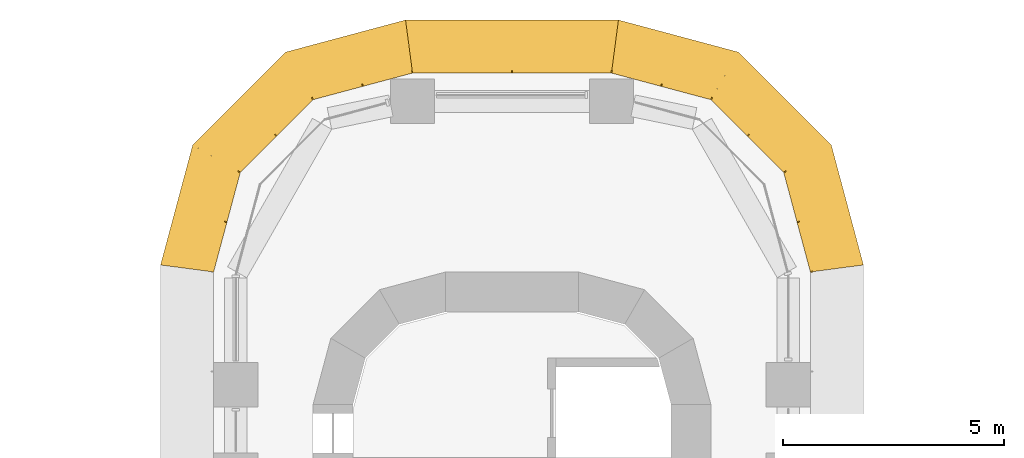
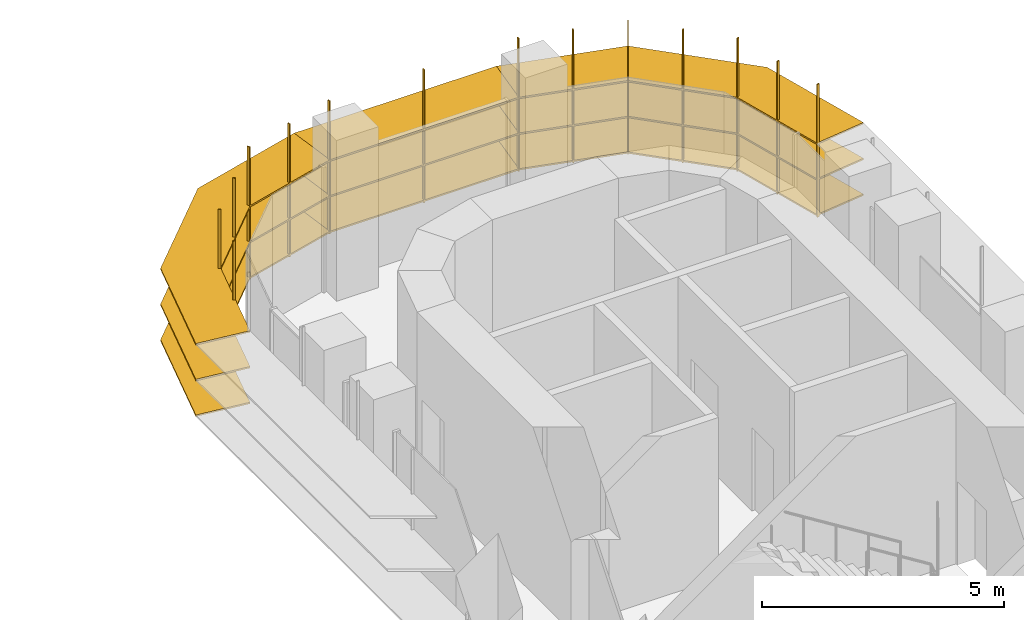
# One storey, part 23 of 23: 3 shading devices.
"""IFC4 building model written with IfcOpenShell, lengths in metres."""

import ifcopenshell
import ifcopenshell.guid

model = None  # the IFC model being written
_history = None  # IfcOwnerHistory: only IFC2X3 demands one
_inside = {}  # id of a spatial element -> (the spatial element, [elements in it])
_under = {}  # id of a project, library or spatial element -> (it, [spatial elements below it])
_declared = {}  # id of a project -> (the project, [libraries it declares])
_typed = {}  # id of a type object -> (the type object, [elements of that type])
_made_of = {}  # id of a material, layer set ... -> (it, [elements and type objects made of it])


def new_model(schema):
    """Start an empty IFC model of exactly this schema.

    Asked for "IFC4X3", IfcOpenShell would pick the latest addendum, in which some entities
    have other attributes; the version numbers below select the first issue.
    IFC2X3 requires an IfcOwnerHistory on every rooted entity: one is made here for all.
    """
    global model, _history
    if schema == "IFC4X3":
        model = ifcopenshell.file(schema_version=(4, 3, 0, 0))
    else:
        model = ifcopenshell.file(schema=schema)
    _inside.clear()
    _under.clear()
    _declared.clear()
    _typed.clear()
    _made_of.clear()
    _history = None
    if model.schema == "IFC2X3":
        org = make("IfcOrganization", Name="unknown")
        user = make(
            "IfcPersonAndOrganization",
            ThePerson=make("IfcPerson", FamilyName="unknown"),
            TheOrganization=org,
        )
        app = make(
            "IfcApplication",
            ApplicationDeveloper=org,
            Version="unknown",
            ApplicationFullName="unknown",
            ApplicationIdentifier="unknown",
        )
        _history = make(
            "IfcOwnerHistory",
            OwningUser=user,
            OwningApplication=app,
            ChangeAction="ADDED",
            CreationDate=0,
        )
    return model


def make(cls, **values):
    """One entity of the class cls with the attributes given. An attribute that is None is left unset."""
    return model.create_entity(
        cls, **{name: value for name, value in values.items() if value is not None}
    )


def rooted(cls, **values):
    """An entity with a GlobalId (a new one), such as an element, a storey or a relation."""
    return make(cls, GlobalId=ifcopenshell.guid.new(), OwnerHistory=_history, **values)


def si_unit(unit_type, name, prefix=None):
    """IfcSIUnit, for example si_unit("LENGTHUNIT", "METRE", prefix="MILLI")."""
    return make("IfcSIUnit", UnitType=unit_type, Prefix=prefix, Name=name)


def assignment(units):
    """IfcUnitAssignment: the units of a project."""
    return None if units is None else make("IfcUnitAssignment", Units=units)


def point(xyz):
    """IfcCartesianPoint."""
    return None if xyz is None else make("IfcCartesianPoint", Coordinates=xyz)


def direction(xyz):
    """IfcDirection."""
    return None if xyz is None else make("IfcDirection", DirectionRatios=xyz)


def frame(location, z_axis=None, x_axis=None):
    """IfcAxis2Placement3D, a coordinate frame: its origin and axes. An axis left out is left unset."""
    return make(
        "IfcAxis2Placement3D",
        Location=point(location),
        Axis=direction(z_axis),
        RefDirection=direction(x_axis),
    )


def origin():
    """The frame at (0, 0, 0) with its axes left unset."""
    return frame((0.0, 0.0, 0.0))


def place(relative_to, where):
    """IfcLocalPlacement: puts the frame where relative to a parent placement (None: the world)."""
    return make(
        "IfcLocalPlacement", PlacementRelTo=relative_to, RelativePlacement=where
    )


def context(
    kind, dimensions, precision=None, world=None, true_north=None, identifier=None
):
    """IfcGeometricRepresentationContext, for example the 3D "Model" context."""
    return make(
        "IfcGeometricRepresentationContext",
        ContextIdentifier=identifier,
        ContextType=kind,
        CoordinateSpaceDimension=dimensions,
        Precision=precision,
        WorldCoordinateSystem=world,
        TrueNorth=true_north,
    )


def subcontext(parent, identifier, kind, view, scale=None):
    """IfcGeometricRepresentationSubContext, for example "Body" below "Model"."""
    return make(
        "IfcGeometricRepresentationSubContext",
        ContextIdentifier=identifier,
        ContextType=kind,
        ParentContext=parent,
        TargetScale=scale,
        TargetView=view,
    )


def project(units=None, contexts=None):
    """IfcProject with its units and contexts."""
    return rooted(
        "IfcProject",
        Name="project",
        RepresentationContexts=contexts,
        UnitsInContext=assignment(units),
    )


def spatial(cls, under=None, at=None, **own):
    """A site, building, storey or space (cls), placed at a placement, below another one or the project."""
    s = rooted(cls, ObjectPlacement=at, **own)
    if under is not None:
        _under.setdefault(under.id(), (under, []))[1].append(s)
    return s


def polyline(points):
    """IfcPolyline through the points."""
    return make("IfcPolyline", Points=[point(p) for p in points])


def outline(outer, holes=None, kind="AREA"):
    """IfcArbitraryClosedProfileDef: a profile drawn as a closed curve; with holes, ...WithVoids."""
    if holes is None:
        return make("IfcArbitraryClosedProfileDef", ProfileType=kind, OuterCurve=outer)
    return make(
        "IfcArbitraryProfileDefWithVoids",
        ProfileType=kind,
        OuterCurve=outer,
        InnerCurves=holes,
    )


def extrude(swept, where, along, depth):
    """IfcExtrudedAreaSolid: the profile swept, set in the frame where, extruded along a direction by depth."""
    return make(
        "IfcExtrudedAreaSolid",
        SweptArea=swept,
        Position=where,
        ExtrudedDirection=direction(along),
        Depth=depth,
    )


def faces_of(points, faces, orient=None, outer=None):
    """IfcFace entities. A face is a list of loops; a loop is a list of indices into points, from 0.

    orient and outer hold one flag for each loop. By default every Orientation is true, the
    first loop of a face is its IfcFaceOuterBound and the others are IfcFaceBound.
    """
    made = []
    for i, loops in enumerate(faces):
        bounds = []
        for j, loop in enumerate(loops):
            is_outer = j == 0 if outer is None else outer[i][j]
            bounds.append(
                make(
                    "IfcFaceOuterBound" if is_outer else "IfcFaceBound",
                    Bound=make("IfcPolyLoop", Polygon=[points[k] for k in loop]),
                    Orientation=True if orient is None else orient[i][j],
                )
            )
        made.append(make("IfcFace", Bounds=bounds))
    return made


def faceted_brep(points, faces, orient=None, outer=None, voids=None):
    """IfcFacetedBrep: a solid bounded by flat faces; with voids (closed shells), ...WithVoids."""
    shared = [point(p) for p in points]
    hull = make("IfcClosedShell", CfsFaces=faces_of(shared, faces, orient, outer))
    if voids is None:
        return make("IfcFacetedBrep", Outer=hull)
    return make(
        "IfcFacetedBrepWithVoids",
        Outer=hull,
        Voids=[
            make(cls, CfsFaces=faces_of(shared, fs, o, b)) for cls, fs, o, b in voids
        ],
    )


def shape(context_of_items, identifier, shape_type, items):
    """IfcShapeRepresentation: the items that make up one representation, for example the "Body"."""
    return make(
        "IfcShapeRepresentation",
        ContextOfItems=context_of_items,
        RepresentationIdentifier=identifier,
        RepresentationType=shape_type,
        Items=items,
    )


def source(mapping_origin, context_of_items, identifier, shape_type, items):
    """IfcRepresentationMap: a shape defined once, which mapped items show again and again."""
    return make(
        "IfcRepresentationMap",
        MappingOrigin=mapping_origin,
        MappedRepresentation=shape(context_of_items, identifier, shape_type, items),
    )


def transform(
    local_origin,
    x_axis=None,
    y_axis=None,
    z_axis=None,
    scale=None,
    scale2=None,
    scale3=None,
    uniform=True,
):
    """IfcCartesianTransformationOperator3D, or its non-uniform kind. x_axis, y_axis, z_axis: its Axis1, 2, 3."""
    if uniform:
        return make(
            "IfcCartesianTransformationOperator3D",
            Axis1=direction(x_axis),
            Axis2=direction(y_axis),
            LocalOrigin=point(local_origin),
            Scale=scale,
            Axis3=direction(z_axis),
        )
    return make(
        "IfcCartesianTransformationOperator3DnonUniform",
        Axis1=direction(x_axis),
        Axis2=direction(y_axis),
        LocalOrigin=point(local_origin),
        Scale=scale,
        Axis3=direction(z_axis),
        Scale2=scale2,
        Scale3=scale3,
    )


def mapped(mapping_source, mapping_target):
    """IfcMappedItem: shows the shape of a source again, moved by a transform."""
    return make(
        "IfcMappedItem", MappingSource=mapping_source, MappingTarget=mapping_target
    )


def material(Name=None, Category=None):
    """IfcMaterial."""
    return make("IfcMaterial", Name=Name, Category=Category)


def made_of(thing, what):
    """Note that an element or type object is made of a material, layer set ...; save() writes the relation."""
    if what is not None:
        _made_of.setdefault(what.id(), (what, []))[1].append(thing)
    return thing


def type_object(cls, material=None, **own):
    """A type object (cls), such as IfcWallType, which elements share."""
    return made_of(rooted(cls, **own), material)


def element(
    cls,
    number,
    at=None,
    inside=None,
    cuts=None,
    type_object=None,
    material=None,
    context=None,
    identifier="Body",
    shape_type=None,
    held_by="IfcProductDefinitionShape",
    body=None,
    shapes=None,
    **own,
):
    """One element of the class cls, such as IfcWall. Its Tag is "e" and its number.

    at: its placement. inside: the storey or other place that contains it. cuts: it is an
    opening in that element (IfcRelVoidsElement). A single representation is given by context,
    identifier, shape_type and body (its items); several are given by shapes. held_by: the class
    of the entity that holds the representations. save() writes the other relations.
    """
    e = rooted(cls, Tag="e%d" % number, ObjectPlacement=at, **own)
    if body is not None:
        shapes = [shape(context, identifier, shape_type, body)]
    if shapes is not None:
        e.Representation = make(held_by, Representations=shapes)
    if inside is not None:
        _inside.setdefault(inside.id(), (inside, []))[1].append(e)
    if cuts is not None:
        rooted(
            "IfcRelVoidsElement", RelatingBuildingElement=cuts, RelatedOpeningElement=e
        )
    if type_object is not None:
        _typed.setdefault(type_object.id(), (type_object, []))[1].append(e)
    return made_of(e, material)


def aggregate(whole, parts):
    """IfcRelAggregates: a whole, such as a stair, and the parts it consists of."""
    return rooted("IfcRelAggregates", RelatingObject=whole, RelatedObjects=parts)


def save(model, path):
    """Write the relations noted so far, then the file.

    IfcRelAggregates (storeys below a building ...), IfcRelContainedInSpatialStructure (elements
    in a storey), IfcRelDefinesByType, IfcRelAssociatesMaterial and IfcRelDeclares: one each for
    every whole, place, type object, material and project.
    """
    for whole, parts in _under.values():
        aggregate(whole, parts)
    for where, things in _inside.values():
        rooted(
            "IfcRelContainedInSpatialStructure",
            RelatedElements=things,
            RelatingStructure=where,
        )
    for kind, things in _typed.values():
        rooted("IfcRelDefinesByType", RelatedObjects=things, RelatingType=kind)
    for what, things in _made_of.values():
        rooted("IfcRelAssociatesMaterial", RelatedObjects=things, RelatingMaterial=what)
    for by, libraries in _declared.values():
        rooted("IfcRelDeclares", RelatingContext=by, RelatedDefinitions=libraries)
    model.write(path)


model = new_model("IFC4")

# Units and contexts
model_context = context("Model", 3, precision=1e-05, world=origin(), true_north=direction((0.0, 1.0)))
body_context = subcontext(model_context, "Body", "Model", "MODEL_VIEW")
ifc_project = project(units=[si_unit("LENGTHUNIT", "METRE"), si_unit("AREAUNIT", "SQUARE_METRE"), si_unit("VOLUMEUNIT", "CUBIC_METRE"), si_unit("PLANEANGLEUNIT", "RADIAN"), si_unit("MASSUNIT", "GRAM", prefix="KILO")], contexts=[model_context])

# Site, building, storey
site_placement = place(None, origin())
site = spatial("IfcSite", under=ifc_project, at=site_placement, CompositionType="ELEMENT")
building_placement = place(site_placement, origin())
building = spatial("IfcBuilding", under=site, at=building_placement, Name="Zarbagh Exchange Tower", CompositionType="ELEMENT")
storey_placement = place(building_placement, frame((0.0, 0.0, 31.199951171875)))
storey = spatial("IfcBuildingStorey", under=building, at=storey_placement, Name="L06", CompositionType="ELEMENT", Elevation=31.199951171875)

# Shading devices
ifc_material = material(Name="Anodised aluminium blades and brackets", Category="aluminium")
shading_device_type = type_object("IfcShadingDeviceType", Name="SUNSHADE louvre band, 0 degree blades", PredefinedType="JALOUSIE", material=ifc_material)
shared_shape_1 = source(origin(), body_context, "Body", "Brep", [
    faceted_brep([(0.0, 0.0, 0.0), (0.0, 0.0, -0.0400390625), (-0.157958984375, -1.199951171875, -0.0400390625), (-0.157958984375, -1.199951171875, 0.0), (2.65087890625, -1.199951171875, 0.0), (2.65087890625, -1.199951171875, -0.0400390625), (2.329345703125, 0.0, -0.0400390625), (2.329345703125, 0.0, 0.0)], [[[0, 1, 2, 3]], [[4, 5, 6, 7]], [[0, 7, 6, 1]], [[1, 6, 5, 2]], [[2, 5, 4, 3]], [[3, 4, 7, 0]]]),
])
shared_shape_2 = source(origin(), body_context, "Body", "Brep", [
    faceted_brep([(0.0, 0.0, 0.0), (0.0, 0.0, -0.0400390625), (-0.321533203125, -1.199951171875, -0.0400390625), (-0.321533203125, -1.199951171875, 0.0), (2.65087890625, -1.199951171875, 0.0), (2.65087890625, -1.199951171875, -0.0400390625), (2.329345703125, 0.0, -0.0400390625), (2.329345703125, 0.0, 0.0)], [[[0, 1, 2, 3]], [[4, 5, 6, 7]], [[0, 7, 6, 1]], [[1, 6, 5, 2]], [[2, 5, 4, 3]], [[3, 4, 7, 0]]]),
])
shared_shape_3 = source(origin(), body_context, "Body", "Brep", [
    faceted_brep([(0.0, 0.0, 0.0), (0.0, 0.0, -0.0400390625), (-0.321533203125, -1.199951171875, -0.0400390625), (-0.321533203125, -1.199951171875, 0.0), (2.4873046875, -1.199951171875, 0.0), (2.4873046875, -1.199951171875, -0.0400390625), (2.329345703125, 0.0, -0.0400390625), (2.329345703125, 0.0, 0.0)], [[[0, 1, 2, 3]], [[4, 5, 6, 7]], [[0, 7, 6, 1]], [[1, 6, 5, 2]], [[2, 5, 4, 3]], [[3, 4, 7, 0]]]),
])
shared_shape_4 = source(origin(), body_context, "Body", "SweptSolid", [
    extrude(outline(polyline([(0.0, -0.012451171875), (0.06005859375, -0.012451171875), (0.06005859375, 0.012451171875), (0.0, 0.012451171875), (0.0, -0.012451171875)])), origin(), (0.0, 0.0, 1.0), 3.35009765625),
])
placement = place(storey_placement, origin())
element("IfcShadingDevice", 1, at=placement, inside=storey, type_object=shading_device_type, Name="SS11 sunshade band", PredefinedType="JALOUSIE", context=body_context, shape_type="MappedRepresentation", body=[
    mapped(shared_shape_1, transform((6.75, 29.25, 2.699951171875), x_axis=(-0.258824779902, 0.965924289636, 0.0), y_axis=(-0.965924289636, -0.258824779902, 0.0), z_axis=(0.0, 0.0, 1.0))),
    mapped(shared_shape_1, transform((6.75, 29.25, 1.800048828125), x_axis=(-0.258824779902, 0.965924289636, 0.0), y_axis=(-0.965924289636, -0.258824779902, 0.0), z_axis=(0.0, 0.0, 1.0))),
    mapped(shared_shape_1, transform((6.75, 29.25, 0.900146484375), x_axis=(-0.258824779902, 0.965924289636, 0.0), y_axis=(-0.965924289636, -0.258824779902, 0.0), z_axis=(0.0, 0.0, 1.0))),
    mapped(shared_shape_2, transform((6.147216796875, 31.5, 2.699951171875), x_axis=(-0.707106781187, 0.707106781187, 0.0), y_axis=(-0.707106781187, -0.707106781187, 0.0), z_axis=(0.0, 0.0, 1.0))),
    mapped(shared_shape_2, transform((6.147216796875, 31.5, 1.800048828125), x_axis=(-0.707106781187, 0.707106781187, 0.0), y_axis=(-0.707106781187, -0.707106781187, 0.0), z_axis=(0.0, 0.0, 1.0))),
    mapped(shared_shape_2, transform((6.147216796875, 31.5, 0.900146484375), x_axis=(-0.707106781187, 0.707106781187, 0.0), y_axis=(-0.707106781187, -0.707106781187, 0.0), z_axis=(0.0, 0.0, 1.0))),
    mapped(shared_shape_3, transform((4.5, 33.147216796875, 2.699951171875), x_axis=(-0.965924289636, 0.258824779902, 0.0), y_axis=(-0.258824779902, -0.965924289636, 0.0), z_axis=(0.0, 0.0, 1.0))),
    mapped(shared_shape_3, transform((4.5, 33.147216796875, 1.800048828125), x_axis=(-0.965924289636, 0.258824779902, 0.0), y_axis=(-0.258824779902, -0.965924289636, 0.0), z_axis=(0.0, 0.0, 1.0))),
    mapped(shared_shape_3, transform((4.5, 33.147216796875, 0.900146484375), x_axis=(-0.965924289636, 0.258824779902, 0.0), y_axis=(-0.258824779902, -0.965924289636, 0.0), z_axis=(0.0, 0.0, 1.0))),
    mapped(shared_shape_4, transform((6.75, 29.25, 0.830078125), x_axis=(0.991444457092, 0.130529263012, 0.0), y_axis=(-0.130529263012, 0.991444457092, 0.0), z_axis=(0.0, 0.0, 1.0))),
    mapped(shared_shape_4, transform((6.448486328125, 30.375, 0.830078125), x_axis=(0.96592421511, 0.258825058029, 0.0), y_axis=(-0.258825058029, 0.96592421511, 0.0), z_axis=(0.0, 0.0, 1.0))),
    mapped(shared_shape_4, transform((6.147216796875, 31.5, 0.830078125), x_axis=(0.866023812018, 0.50000275701, 0.0), y_axis=(-0.50000275701, 0.866023812018, 0.0), z_axis=(0.0, 0.0, 1.0))),
    mapped(shared_shape_4, transform((5.323486328125, 32.323486328125, 0.830078125), x_axis=(0.707106781187, 0.707106781187, 0.0), y_axis=(-0.707106781187, 0.707106781187, 0.0), z_axis=(0.0, 0.0, 1.0))),
    mapped(shared_shape_4, transform((4.5, 33.147216796875, 0.830078125), x_axis=(0.50000275701, 0.866023812018, 0.0), y_axis=(-0.866023812018, 0.50000275701, 0.0), z_axis=(0.0, 0.0, 1.0))),
    mapped(shared_shape_4, transform((3.375, 33.448486328125, 0.830078125), x_axis=(0.258825058029, 0.96592421511, 0.0), y_axis=(-0.96592421511, 0.258825058029, 0.0), z_axis=(0.0, 0.0, 1.0))),
])
element("IfcShadingDevice", 2, at=placement, inside=storey, type_object=shading_device_type, Name="SS13 sunshade band", PredefinedType="JALOUSIE", context=body_context, shape_type="MappedRepresentation", body=[
    mapped(shared_shape_1, transform((-2.25, 33.75, 2.699951171875), x_axis=(-0.965924289636, -0.258824779902, 0.0), y_axis=(0.258824779902, -0.965924289636, 0.0), z_axis=(0.0, 0.0, 1.0))),
    mapped(shared_shape_1, transform((-2.25, 33.75, 1.800048828125), x_axis=(-0.965924289636, -0.258824779902, 0.0), y_axis=(0.258824779902, -0.965924289636, 0.0), z_axis=(0.0, 0.0, 1.0))),
    mapped(shared_shape_1, transform((-2.25, 33.75, 0.900146484375), x_axis=(-0.965924289636, -0.258824779902, 0.0), y_axis=(0.258824779902, -0.965924289636, 0.0), z_axis=(0.0, 0.0, 1.0))),
    mapped(shared_shape_2, transform((-4.5, 33.147216796875, 2.699951171875), x_axis=(-0.707106781187, -0.707106781187, 0.0), y_axis=(0.707106781187, -0.707106781187, 0.0), z_axis=(0.0, 0.0, 1.0))),
    mapped(shared_shape_2, transform((-4.5, 33.147216796875, 1.800048828125), x_axis=(-0.707106781187, -0.707106781187, 0.0), y_axis=(0.707106781187, -0.707106781187, 0.0), z_axis=(0.0, 0.0, 1.0))),
    mapped(shared_shape_2, transform((-4.5, 33.147216796875, 0.900146484375), x_axis=(-0.707106781187, -0.707106781187, 0.0), y_axis=(0.707106781187, -0.707106781187, 0.0), z_axis=(0.0, 0.0, 1.0))),
    mapped(shared_shape_3, transform((-6.147216796875, 31.5, 2.699951171875), x_axis=(-0.258824779902, -0.965924289636, 0.0), y_axis=(0.965924289636, -0.258824779902, 0.0), z_axis=(0.0, 0.0, 1.0))),
    mapped(shared_shape_3, transform((-6.147216796875, 31.5, 1.800048828125), x_axis=(-0.258824779902, -0.965924289636, 0.0), y_axis=(0.965924289636, -0.258824779902, 0.0), z_axis=(0.0, 0.0, 1.0))),
    mapped(shared_shape_3, transform((-6.147216796875, 31.5, 0.900146484375), x_axis=(-0.258824779902, -0.965924289636, 0.0), y_axis=(0.965924289636, -0.258824779902, 0.0), z_axis=(0.0, 0.0, 1.0))),
    mapped(shared_shape_4, transform((-2.25, 33.75, 0.830078125), x_axis=(-0.130529263012, 0.991444457092, 0.0), y_axis=(-0.991444457092, -0.130529263012, 0.0), z_axis=(0.0, 0.0, 1.0))),
    mapped(shared_shape_4, transform((-3.375, 33.448486328125, 0.830078125), x_axis=(-0.258825058029, 0.96592421511, 0.0), y_axis=(-0.96592421511, -0.258825058029, 0.0), z_axis=(0.0, 0.0, 1.0))),
    mapped(shared_shape_4, transform((-4.5, 33.147216796875, 0.830078125), x_axis=(-0.50000275701, 0.866023812018, 0.0), y_axis=(-0.866023812018, -0.50000275701, 0.0), z_axis=(0.0, 0.0, 1.0))),
    mapped(shared_shape_4, transform((-5.323486328125, 32.323486328125, 0.830078125), x_axis=(-0.707106781187, 0.707106781187, 0.0), y_axis=(-0.707106781187, -0.707106781187, 0.0), z_axis=(0.0, 0.0, 1.0))),
    mapped(shared_shape_4, transform((-6.147216796875, 31.5, 0.830078125), x_axis=(-0.866023812018, 0.50000275701, 0.0), y_axis=(-0.50000275701, -0.866023812018, 0.0), z_axis=(0.0, 0.0, 1.0))),
    mapped(shared_shape_4, transform((-6.448486328125, 30.375, 0.830078125), x_axis=(-0.96592421511, 0.258825058029, 0.0), y_axis=(-0.258825058029, -0.96592421511, 0.0), z_axis=(0.0, 0.0, 1.0))),
])
shared_shape_5 = source(origin(), body_context, "Body", "Brep", [
    faceted_brep([(0.0, 0.0, 0.0), (0.0, 0.0, -0.0400390625), (-0.157958984375, -1.199951171875, -0.0400390625), (-0.157958984375, -1.199951171875, 0.0), (4.657958984375, -1.199951171875, 0.0), (4.657958984375, -1.199951171875, -0.0400390625), (4.5, 0.0, -0.0400390625), (4.5, 0.0, 0.0)], [[[0, 1, 2, 3]], [[4, 5, 6, 7]], [[0, 7, 6, 1]], [[1, 6, 5, 2]], [[2, 5, 4, 3]], [[3, 4, 7, 0]]]),
])
element("IfcShadingDevice", 3, at=placement, inside=storey, type_object=shading_device_type, Name="SS12 sunshade band", PredefinedType="JALOUSIE", context=body_context, shape_type="MappedRepresentation", body=[
    mapped(shared_shape_5, transform((2.25, 33.75, 2.699951171875), x_axis=(-1.0, 0.0, 0.0), y_axis=(0.0, -1.0, 0.0), z_axis=(0.0, 0.0, 1.0))),
    mapped(shared_shape_5, transform((2.25, 33.75, 1.800048828125), x_axis=(-1.0, 0.0, 0.0), y_axis=(0.0, -1.0, 0.0), z_axis=(0.0, 0.0, 1.0))),
    mapped(shared_shape_5, transform((2.25, 33.75, 0.900146484375), x_axis=(-1.0, 0.0, 0.0), y_axis=(0.0, -1.0, 0.0), z_axis=(0.0, 0.0, 1.0))),
    mapped(shared_shape_4, transform((2.25, 33.75, 0.830078125), x_axis=(0.130529263012, 0.991444457092, 0.0), y_axis=(-0.991444457092, 0.130529263012, 0.0), z_axis=(0.0, 0.0, 1.0))),
    mapped(shared_shape_4, transform((0.0, 33.75, 0.830078125), x_axis=(0.0, 1.0, 0.0), y_axis=(-1.0, 0.0, 0.0), z_axis=(0.0, 0.0, 1.0))),
])

save(model, "model.ifc")
